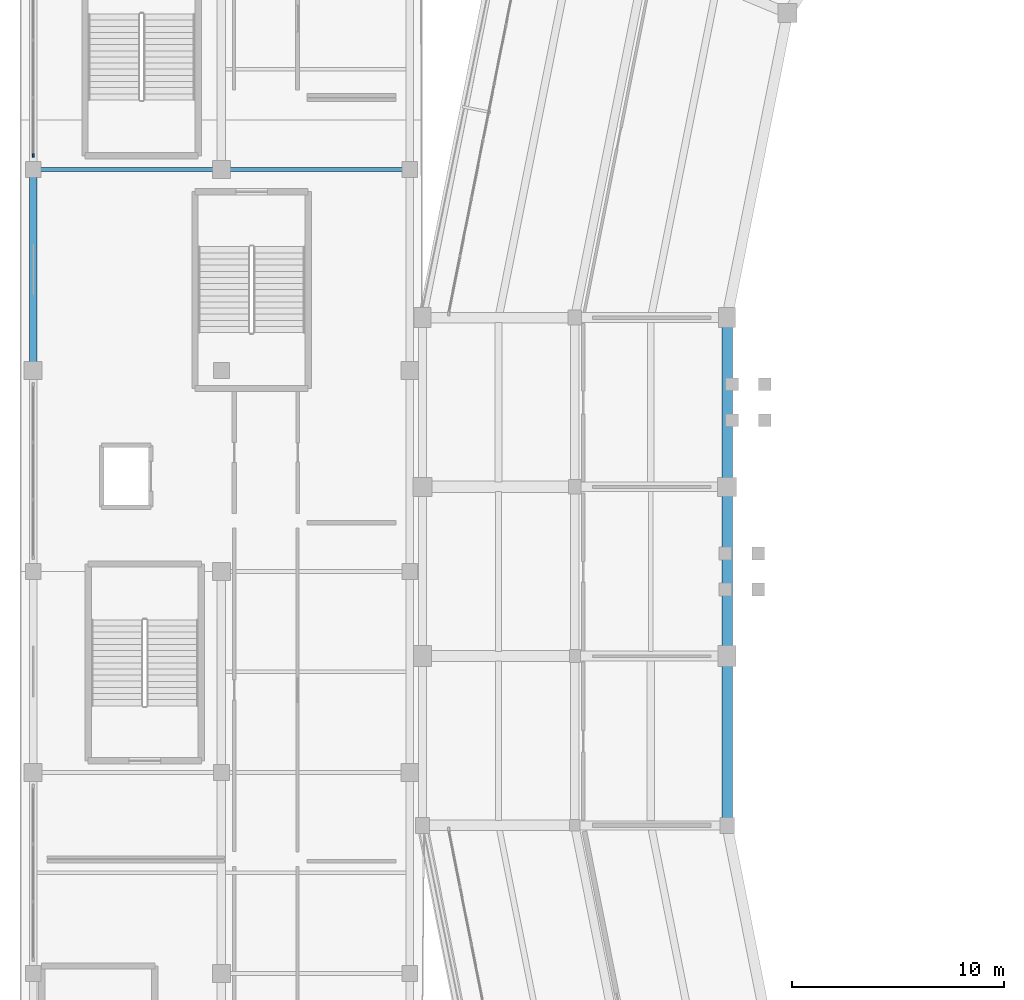
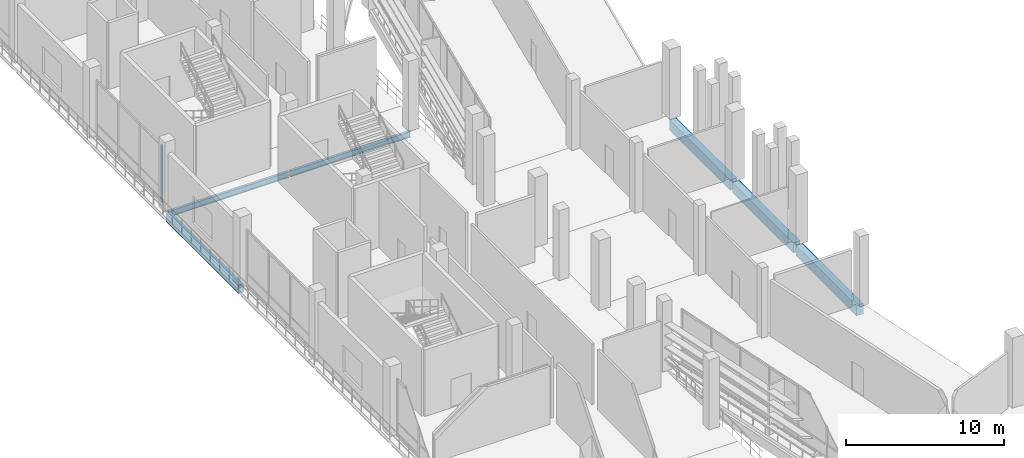
# One storey, part 28 of 114: 6 beams, 1 member, 1 element without a shape of its own.
"""IFC4 building model written with IfcOpenShell, lengths in metres."""

from ifc_helpers import new_model, si_unit, direction, frame, origin, origin_2d, place, context, subcontext, project, spatial, rectangle, i_section, extrude, material, material_profile, profile_set, type_object, element, aggregate, save


model = new_model("IFC4")

# Units and contexts
model_context = context("Model", 3, precision=1e-05, world=origin(), true_north=direction((0.0, 1.0)))
body_context = subcontext(model_context, "Body", "Model", "MODEL_VIEW")
ifc_project = project(units=[si_unit("LENGTHUNIT", "METRE"), si_unit("AREAUNIT", "SQUARE_METRE"), si_unit("VOLUMEUNIT", "CUBIC_METRE"), si_unit("PLANEANGLEUNIT", "RADIAN"), si_unit("MASSUNIT", "GRAM", prefix="KILO")], contexts=[model_context])

# Site, building, storey
site_placement = place(None, origin())
site = spatial("IfcSite", under=ifc_project, at=site_placement, CompositionType="ELEMENT")
building_placement = place(site_placement, origin())
building = spatial("IfcBuilding", under=site, at=building_placement, Name="Candeia Ridge Stadium", CompositionType="ELEMENT")
storey_placement = place(building_placement, frame((0.0, 0.0, 5.39990234375)))
storey = spatial("IfcBuildingStorey", under=building, at=storey_placement, Name="L01", CompositionType="ELEMENT", Elevation=5.39990234375)

# Curtain wall, member
ifc_material_1 = material(Name="Aluminium Anodized Warm Bronze", Category="aluminium")
curtain_wall_type = type_object("IfcCurtainWallType", Name="Cardinal Entrance Gate Tall Glazed Curtain Wall", PredefinedType="NOTDEFINED", material=ifc_material_1)
curtain_wall_placement = place(storey_placement, origin())
curtain_wall = element("IfcCurtainWall", 1, at=curtain_wall_placement, inside=storey, type_object=curtain_wall_type, Name="Unitised curtain wall CW-WNG-L01-079", PredefinedType="NOTDEFINED")
ifc_material_profile_1 = material_profile(ifc_material_1, rectangle(XDim=0.090087890625, YDim=0.179931640625, at=origin_2d()), Name="CWM-90x180", Category="aluminium")
ifc_profile_set_1 = profile_set([ifc_material_profile_1], Name="Aluminium Anodized Warm Bronze")
member_type = type_object("IfcMemberType", Name="Curtain Wall Primary Mullion 90x180", PredefinedType="MULLION", material=ifc_profile_set_1)
member_placement = place(storey_placement, frame((0.60009765625, 102.659912109375, 0.0), z_axis=(0.0, 0.0, 1.0), x_axis=(1.0, 0.0, 0.0)))
member = element("IfcMember", 2, at=member_placement, type_object=member_type, Name="Curtain wall mullion CW-WNG-L01-079-M0", PredefinedType="MULLION", context=body_context, shape_type="SweptSolid", body=[
    extrude(rectangle(XDim=0.090087890625, YDim=0.179931640625, at=origin_2d()), origin(), (0.0, 0.0, 1.0), 4.47509765625),
])
aggregate(curtain_wall, [member])

# Beams
ifc_material_2 = material(Name="Concrete C40/50", Category="concrete")
ifc_material_profile_2 = material_profile(ifc_material_2, rectangle(XDim=0.5, YDim=0.800048828125, at=origin_2d()), Name="RC500x800", Category="concrete")
ifc_profile_set_2 = profile_set([ifc_material_profile_2], Name="Concrete C40/50")
beam_type_1 = type_object("IfcBeamType", Name="Frame Girder RC500x800", PredefinedType="BEAM", material=ifc_profile_set_2)
for number, where, z_axis, x_axis, name in (
    (3, (33.39990234375, 94.840087890625, -0.659912109375), (0.0, -1.0, 0.0), (1.0, 0.0, 0.0), "Bowl inner ring girder BM-L01-0123"),
    (4, (33.39990234375, 86.840087890625, -0.659912109375), (0.0, -1.0, 0.0), (1.0, 0.0, 0.0), "Bowl inner ring girder BM-L01-0128"),
    (5, (33.39990234375, 78.840087890625, -0.659912109375), (0.0, -1.0, 0.0), (1.0, 0.0, 0.0), "Bowl inner ring girder BM-L01-0133"),
):
    element("IfcBeam", number, at=place(storey_placement, frame(where, z_axis=z_axis, x_axis=x_axis)), inside=storey, type_object=beam_type_1, Name=name, PredefinedType="BEAM", context=body_context, shape_type="SweptSolid", body=[
        extrude(rectangle(XDim=0.5, YDim=0.800048828125, at=origin_2d()), origin(), (0.0, 0.0, 1.0), 7.68017578125),
    ])
ifc_material_3 = material(Name="Steel ASTM A572 Grade 50", Category="steel")
ifc_material_profile_3 = material_profile(ifc_material_3, i_section(OverallWidth=0.18994140625, OverallDepth=0.45703125, WebThickness=0.009033203125, FlangeThickness=0.014404296875, FilletRadius=0.012939453125, at=origin_2d()), Name="W460x74", Category="steel")
ifc_profile_set_3 = profile_set([ifc_material_profile_3], Name="Steel ASTM A572 Grade 50")
beam_type_2 = type_object("IfcBeamType", Name="Pavilion Steel Girder W460x74", PredefinedType="BEAM", material=ifc_profile_set_3)
for number, where, z_axis, x_axis, name in (
    (6, (0.64990234375, 102.0, -0.48828125), (1.0, 0.0, 0.0), (0.0, 1.0, 0.0), "Structural girder BM-L01-1081"),
    (7, (9.550048828125, 102.0, -0.48828125), (1.0, 0.0, 0.0), (0.0, 1.0, 0.0), "Structural girder BM-L01-1103"),
):
    element("IfcBeam", number, at=place(storey_placement, frame(where, z_axis=z_axis, x_axis=x_axis)), inside=storey, type_object=beam_type_2, Name=name, PredefinedType="BEAM", context=body_context, shape_type="SweptSolid", body=[
        extrude(i_section(OverallWidth=0.18994140625, OverallDepth=0.45703125, WebThickness=0.009033203125, FlangeThickness=0.014404296875, FilletRadius=0.012939453125, at=origin_2d()), origin(), (0.0, 0.0, 1.0), 8.800048828125),
    ])
ifc_material_profile_4 = material_profile(ifc_material_2, rectangle(XDim=0.35009765625, YDim=0.64990234375, at=origin_2d()), Name="RC350x650", Category="concrete")
ifc_profile_set_4 = profile_set([ifc_material_profile_4], Name="Concrete C40/50")
beam_type_3 = type_object("IfcBeamType", Name="Spandrel Beam RC350x650", PredefinedType="SPANDREL", material=ifc_profile_set_4)
beam_placement = place(storey_placement, frame((0.60009765625, 92.659912109375, -0.5849609375), z_axis=(0.0, 1.0, 0.0), x_axis=(-1.0, 0.0, 0.0)))
element("IfcBeam", 8, at=beam_placement, inside=storey, type_object=beam_type_3, Name="Structural girder BM-L01-1041", PredefinedType="SPANDREL", context=body_context, shape_type="SweptSolid", body=[
    extrude(rectangle(XDim=0.35009765625, YDim=0.64990234375, at=origin_2d()), origin(), (0.0, 0.0, 1.0), 9.18017578125),
])

save(model, "model.ifc")
